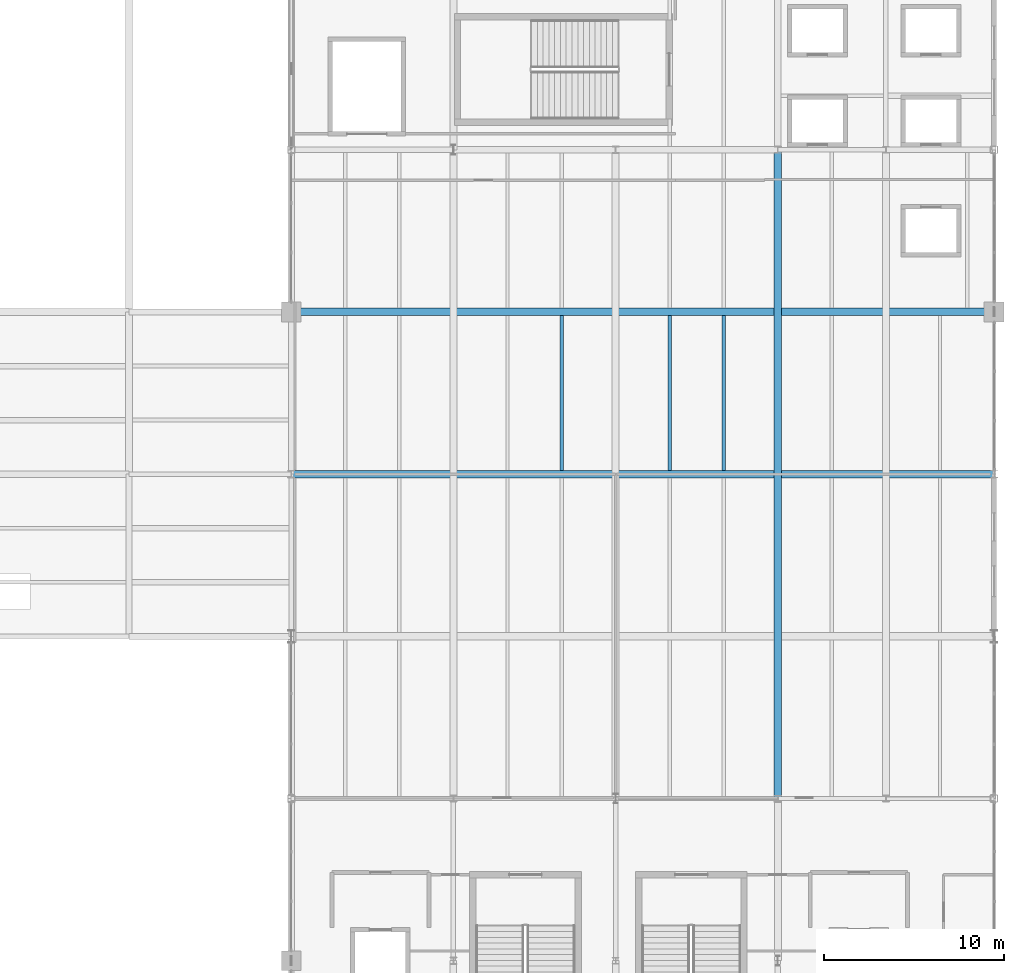
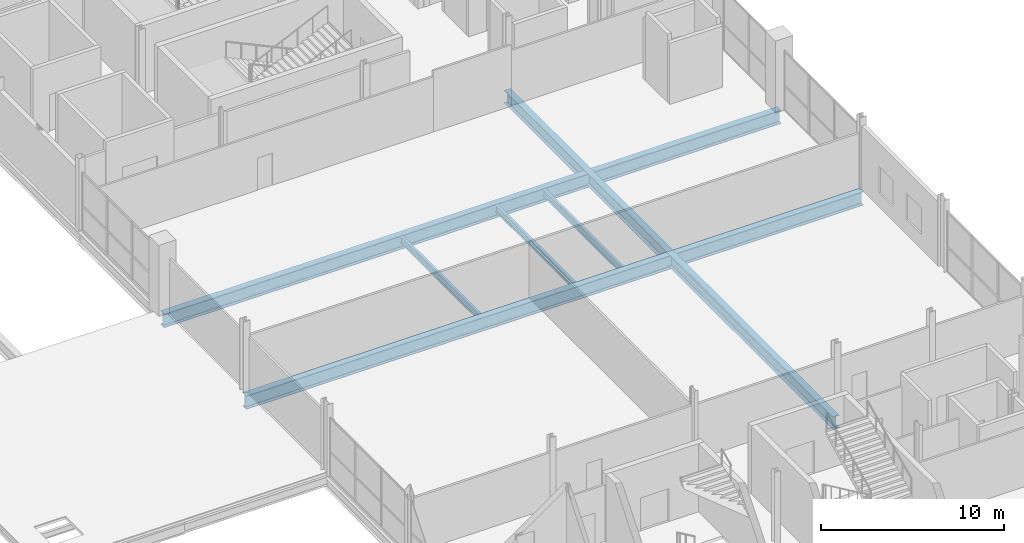
# One storey, part 13 of 50: 6 beams.
"""IFC4 building model written with IfcOpenShell, lengths in metres."""

from ifc_helpers import new_model, si_unit, direction, frame, origin, origin_2d, place, context, subcontext, project, spatial, i_section, extrude, material, material_profile, profile_set, type_object, element, save


model = new_model("IFC4")

# Units and contexts
model_context = context("Model", 3, precision=1e-05, world=origin(), true_north=direction((0.0, 1.0)))
body_context = subcontext(model_context, "Body", "Model", "MODEL_VIEW")
ifc_project = project(units=[si_unit("LENGTHUNIT", "METRE"), si_unit("AREAUNIT", "SQUARE_METRE"), si_unit("VOLUMEUNIT", "CUBIC_METRE"), si_unit("PLANEANGLEUNIT", "RADIAN"), si_unit("MASSUNIT", "GRAM", prefix="KILO")], contexts=[model_context])

# Site, building, storey
site_placement = place(None, origin())
site = spatial("IfcSite", under=ifc_project, at=site_placement, CompositionType="ELEMENT")
building_placement = place(site_placement, origin())
building = spatial("IfcBuilding", under=site, at=building_placement, Name="Qamarlyn Nura Convention Centre", CompositionType="ELEMENT")
storey_placement = place(building_placement, frame((0.0, 0.0, 20.39990234375)))
storey = spatial("IfcBuildingStorey", under=building, at=storey_placement, Name="L04", CompositionType="ELEMENT", Elevation=20.39990234375)

# Beams
ifc_material = material(Name="Steel ASTM A992", Category="steel")
ifc_material_profile_1 = material_profile(ifc_material, i_section(OverallWidth=0.39990234375, OverallDepth=0.85498046875, WebThickness=0.018310546875, FlangeThickness=0.029296875, FilletRadius=0.02197265625, at=origin_2d()), Name="W840X299")
ifc_profile_set_1 = profile_set([ifc_material_profile_1], Name="Steel ASTM A992")
beam_type_1 = type_object("IfcBeamType", Name="BM-GIRD-840", PredefinedType="BEAM", material=ifc_profile_set_1)
beam_placement = place(storey_placement, frame((180.0, 18.0, -0.62744140625), z_axis=(0.0, 1.0, 0.0), x_axis=(-1.0, 0.0, 0.0)))
element("IfcBeam", 1, at=beam_placement, inside=storey, type_object=beam_type_1, Name="L04 girder 16 C-G", PredefinedType="BEAM", context=body_context, shape_type="SweptSolid", body=[
    extrude(i_section(OverallWidth=0.39990234375, OverallDepth=0.85498046875, WebThickness=0.018310546875, FlangeThickness=0.029296875, FilletRadius=0.02197265625, at=origin_2d()), origin(), (0.0, 0.0, 1.0), 36.0),
])
ifc_material_profile_2 = material_profile(ifc_material, i_section(OverallWidth=0.41796875, OverallDepth=0.912109375, WebThickness=0.019287109375, FlangeThickness=0.031982421875, FilletRadius=0.02392578125, at=origin_2d()), Name="W920X342")
ifc_profile_set_2 = profile_set([ifc_material_profile_2], Name="Steel ASTM A992")
beam_type_2 = type_object("IfcBeamType", Name="BM-GIRD-920", PredefinedType="BEAM", material=ifc_profile_set_2)
for number, where, z_axis, x_axis, name in (
    (2, (153.0, 36.0, -0.656005859375), (1.0, 0.0, 0.0), (0.0, 1.0, 0.0), "L04 girder E 13-18"),
    (3, (153.0, 45.0, -0.656005859375), (1.0, 0.0, 0.0), (0.0, 1.0, 0.0), "L04 girder F 13-18"),
):
    element("IfcBeam", number, at=place(storey_placement, frame(where, z_axis=z_axis, x_axis=x_axis)), inside=storey, type_object=beam_type_2, Name=name, PredefinedType="BEAM", context=body_context, shape_type="SweptSolid", body=[
        extrude(i_section(OverallWidth=0.41796875, OverallDepth=0.912109375, WebThickness=0.019287109375, FlangeThickness=0.031982421875, FilletRadius=0.02392578125, at=origin_2d()), origin(), (0.0, 0.0, 1.0), 39.0),
    ])
ifc_material_profile_3 = material_profile(ifc_material, i_section(OverallWidth=0.18994140625, OverallDepth=0.45703125, WebThickness=0.009033203125, FlangeThickness=0.014404296875, FilletRadius=0.012939453125, at=origin_2d()), Name="W460X74")
ifc_profile_set_3 = profile_set([ifc_material_profile_3], Name="Steel ASTM A992")
beam_type_3 = type_object("IfcBeamType", Name="BM-JOIST-460", PredefinedType="JOIST", material=ifc_profile_set_3)
for number, where, z_axis, x_axis, name in (
    (4, (168.0, 36.208984375, -0.428466796875), (0.0, 1.0, 0.0), (-1.0, 0.0, 0.0), "L04 secondary joist 14-15/E-F-29"),
    (5, (174.0, 36.208984375, -0.428466796875), (0.0, 1.0, 0.0), (-1.0, 0.0, 0.0), "L04 secondary joist 15-16/E-F-42"),
    (6, (177.0, 36.208984375, -0.428466796875), (0.0, 1.0, 0.0), (-1.0, 0.0, 0.0), "L04 secondary joist 15-16/E-F-43"),
):
    element("IfcBeam", number, at=place(storey_placement, frame(where, z_axis=z_axis, x_axis=x_axis)), inside=storey, type_object=beam_type_3, Name=name, PredefinedType="JOIST", context=body_context, shape_type="SweptSolid", body=[
        extrude(i_section(OverallWidth=0.18994140625, OverallDepth=0.45703125, WebThickness=0.009033203125, FlangeThickness=0.014404296875, FilletRadius=0.012939453125, at=origin_2d()), origin(), (0.0, 0.0, 1.0), 8.58203125),
    ])

save(model, "model.ifc")
